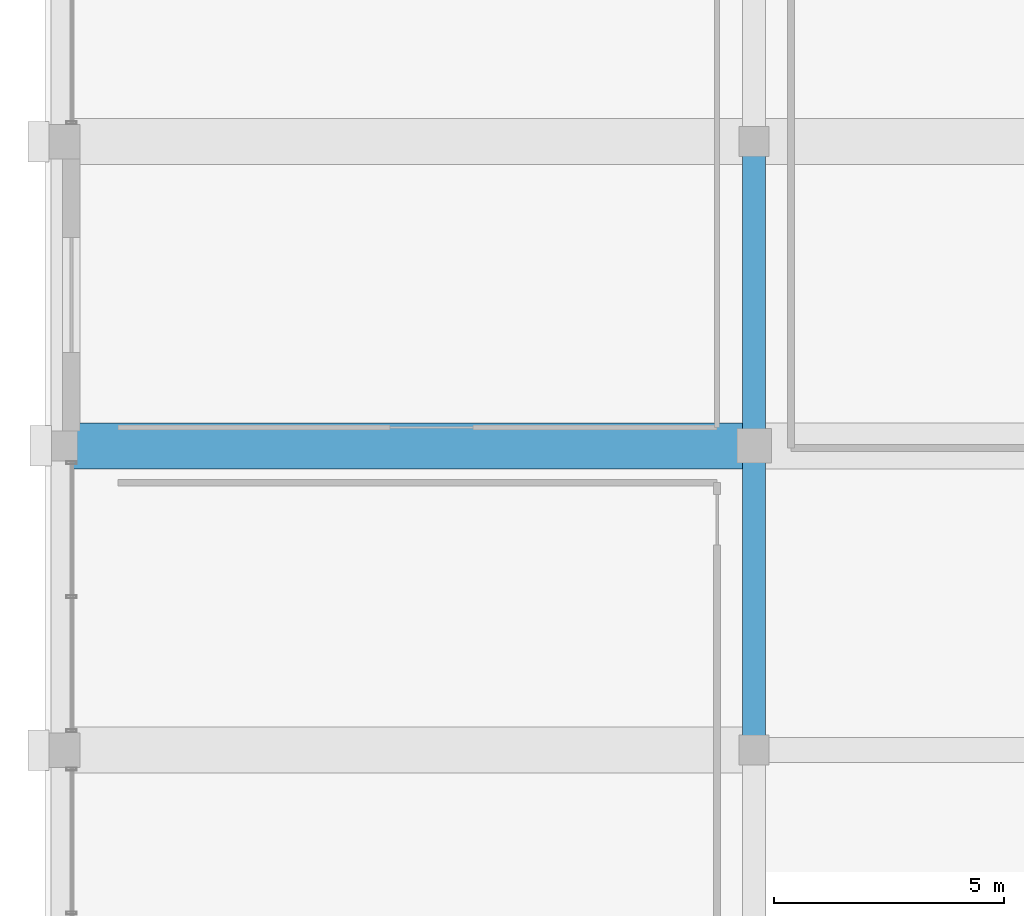
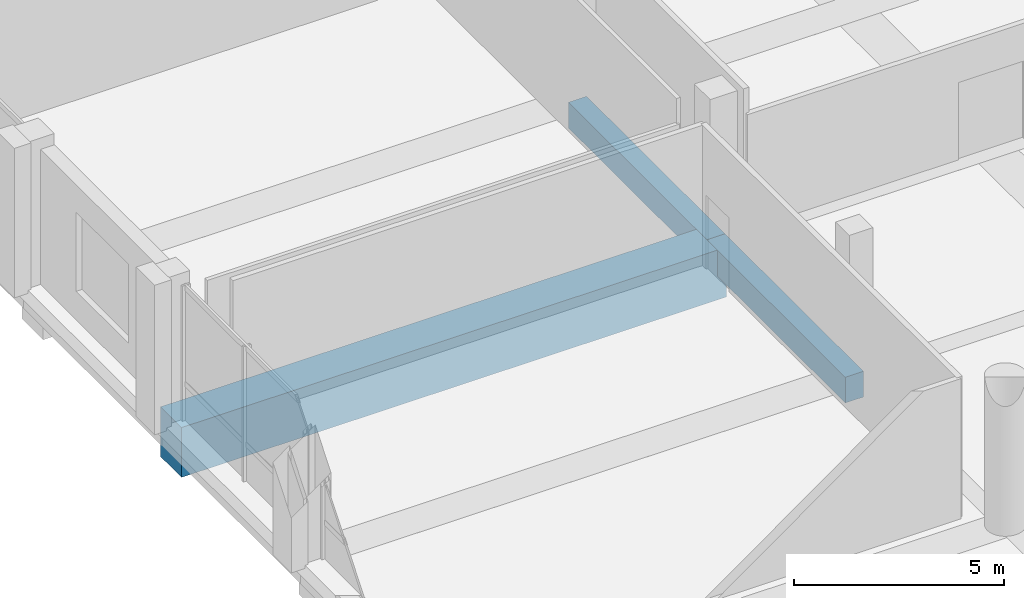
# One storey, part 16 of 64: 3 beams.
"""IFC4 building model written with IfcOpenShell, lengths in metres."""

import ifcopenshell
import ifcopenshell.guid

model = None  # the IFC model being written
_history = None  # IfcOwnerHistory: only IFC2X3 demands one
_inside = {}  # id of a spatial element -> (the spatial element, [elements in it])
_under = {}  # id of a project, library or spatial element -> (it, [spatial elements below it])
_declared = {}  # id of a project -> (the project, [libraries it declares])
_typed = {}  # id of a type object -> (the type object, [elements of that type])
_made_of = {}  # id of a material, layer set ... -> (it, [elements and type objects made of it])


def new_model(schema):
    """Start an empty IFC model of exactly this schema.

    Asked for "IFC4X3", IfcOpenShell would pick the latest addendum, in which some entities
    have other attributes; the version numbers below select the first issue.
    IFC2X3 requires an IfcOwnerHistory on every rooted entity: one is made here for all.
    """
    global model, _history
    if schema == "IFC4X3":
        model = ifcopenshell.file(schema_version=(4, 3, 0, 0))
    else:
        model = ifcopenshell.file(schema=schema)
    _inside.clear()
    _under.clear()
    _declared.clear()
    _typed.clear()
    _made_of.clear()
    _history = None
    if model.schema == "IFC2X3":
        org = make("IfcOrganization", Name="unknown")
        user = make(
            "IfcPersonAndOrganization",
            ThePerson=make("IfcPerson", FamilyName="unknown"),
            TheOrganization=org,
        )
        app = make(
            "IfcApplication",
            ApplicationDeveloper=org,
            Version="unknown",
            ApplicationFullName="unknown",
            ApplicationIdentifier="unknown",
        )
        _history = make(
            "IfcOwnerHistory",
            OwningUser=user,
            OwningApplication=app,
            ChangeAction="ADDED",
            CreationDate=0,
        )
    return model


def make(cls, **values):
    """One entity of the class cls with the attributes given. An attribute that is None is left unset."""
    return model.create_entity(
        cls, **{name: value for name, value in values.items() if value is not None}
    )


def rooted(cls, **values):
    """An entity with a GlobalId (a new one), such as an element, a storey or a relation."""
    return make(cls, GlobalId=ifcopenshell.guid.new(), OwnerHistory=_history, **values)


def si_unit(unit_type, name, prefix=None):
    """IfcSIUnit, for example si_unit("LENGTHUNIT", "METRE", prefix="MILLI")."""
    return make("IfcSIUnit", UnitType=unit_type, Prefix=prefix, Name=name)


def assignment(units):
    """IfcUnitAssignment: the units of a project."""
    return None if units is None else make("IfcUnitAssignment", Units=units)


def point(xyz):
    """IfcCartesianPoint."""
    return None if xyz is None else make("IfcCartesianPoint", Coordinates=xyz)


def direction(xyz):
    """IfcDirection."""
    return None if xyz is None else make("IfcDirection", DirectionRatios=xyz)


def frame(location, z_axis=None, x_axis=None):
    """IfcAxis2Placement3D, a coordinate frame: its origin and axes. An axis left out is left unset."""
    return make(
        "IfcAxis2Placement3D",
        Location=point(location),
        Axis=direction(z_axis),
        RefDirection=direction(x_axis),
    )


def frame_2d(location, x_axis=None):
    """IfcAxis2Placement2D, a coordinate frame in the plane: its origin and x axis."""
    return make(
        "IfcAxis2Placement2D", Location=point(location), RefDirection=direction(x_axis)
    )


def origin():
    """The frame at (0, 0, 0) with its axes left unset."""
    return frame((0.0, 0.0, 0.0))


def origin_2d():
    """The frame at (0, 0) in the plane with its x axis left unset."""
    return frame_2d((0.0, 0.0))


def place(relative_to, where):
    """IfcLocalPlacement: puts the frame where relative to a parent placement (None: the world)."""
    return make(
        "IfcLocalPlacement", PlacementRelTo=relative_to, RelativePlacement=where
    )


def context(
    kind, dimensions, precision=None, world=None, true_north=None, identifier=None
):
    """IfcGeometricRepresentationContext, for example the 3D "Model" context."""
    return make(
        "IfcGeometricRepresentationContext",
        ContextIdentifier=identifier,
        ContextType=kind,
        CoordinateSpaceDimension=dimensions,
        Precision=precision,
        WorldCoordinateSystem=world,
        TrueNorth=true_north,
    )


def subcontext(parent, identifier, kind, view, scale=None):
    """IfcGeometricRepresentationSubContext, for example "Body" below "Model"."""
    return make(
        "IfcGeometricRepresentationSubContext",
        ContextIdentifier=identifier,
        ContextType=kind,
        ParentContext=parent,
        TargetScale=scale,
        TargetView=view,
    )


def project(units=None, contexts=None):
    """IfcProject with its units and contexts."""
    return rooted(
        "IfcProject",
        Name="project",
        RepresentationContexts=contexts,
        UnitsInContext=assignment(units),
    )


def spatial(cls, under=None, at=None, **own):
    """A site, building, storey or space (cls), placed at a placement, below another one or the project."""
    s = rooted(cls, ObjectPlacement=at, **own)
    if under is not None:
        _under.setdefault(under.id(), (under, []))[1].append(s)
    return s


def profile(cls, at=None, kind="AREA", **sizes):
    """A parametric profile (cls). Its sizes go by their IFC names, for example OverallWidth=200.0."""
    return make(cls, ProfileType=kind, Position=at, **sizes)


def rectangle(**sizes):
    """IfcRectangleProfileDef."""
    return profile("IfcRectangleProfileDef", **sizes)


def extrude(swept, where, along, depth):
    """IfcExtrudedAreaSolid: the profile swept, set in the frame where, extruded along a direction by depth."""
    return make(
        "IfcExtrudedAreaSolid",
        SweptArea=swept,
        Position=where,
        ExtrudedDirection=direction(along),
        Depth=depth,
    )


def shape(context_of_items, identifier, shape_type, items):
    """IfcShapeRepresentation: the items that make up one representation, for example the "Body"."""
    return make(
        "IfcShapeRepresentation",
        ContextOfItems=context_of_items,
        RepresentationIdentifier=identifier,
        RepresentationType=shape_type,
        Items=items,
    )


def material(Name=None, Category=None):
    """IfcMaterial."""
    return make("IfcMaterial", Name=Name, Category=Category)


def material_profile(
    of_material, cross_section, Name=None, Category=None, Priority=None
):
    """IfcMaterialProfile: a cross section and its material."""
    return make(
        "IfcMaterialProfile",
        Name=Name,
        Material=of_material,
        Profile=cross_section,
        Priority=Priority,
        Category=Category,
    )


def profile_set(profiles, Name=None, composite=None):
    """IfcMaterialProfileSet."""
    return make(
        "IfcMaterialProfileSet",
        Name=Name,
        MaterialProfiles=profiles,
        CompositeProfile=composite,
    )


def made_of(thing, what):
    """Note that an element or type object is made of a material, layer set ...; save() writes the relation."""
    if what is not None:
        _made_of.setdefault(what.id(), (what, []))[1].append(thing)
    return thing


def type_object(cls, material=None, **own):
    """A type object (cls), such as IfcWallType, which elements share."""
    return made_of(rooted(cls, **own), material)


def element(
    cls,
    number,
    at=None,
    inside=None,
    cuts=None,
    type_object=None,
    material=None,
    context=None,
    identifier="Body",
    shape_type=None,
    held_by="IfcProductDefinitionShape",
    body=None,
    shapes=None,
    **own,
):
    """One element of the class cls, such as IfcWall. Its Tag is "e" and its number.

    at: its placement. inside: the storey or other place that contains it. cuts: it is an
    opening in that element (IfcRelVoidsElement). A single representation is given by context,
    identifier, shape_type and body (its items); several are given by shapes. held_by: the class
    of the entity that holds the representations. save() writes the other relations.
    """
    e = rooted(cls, Tag="e%d" % number, ObjectPlacement=at, **own)
    if body is not None:
        shapes = [shape(context, identifier, shape_type, body)]
    if shapes is not None:
        e.Representation = make(held_by, Representations=shapes)
    if inside is not None:
        _inside.setdefault(inside.id(), (inside, []))[1].append(e)
    if cuts is not None:
        rooted(
            "IfcRelVoidsElement", RelatingBuildingElement=cuts, RelatedOpeningElement=e
        )
    if type_object is not None:
        _typed.setdefault(type_object.id(), (type_object, []))[1].append(e)
    return made_of(e, material)


def aggregate(whole, parts):
    """IfcRelAggregates: a whole, such as a stair, and the parts it consists of."""
    return rooted("IfcRelAggregates", RelatingObject=whole, RelatedObjects=parts)


def save(model, path):
    """Write the relations noted so far, then the file.

    IfcRelAggregates (storeys below a building ...), IfcRelContainedInSpatialStructure (elements
    in a storey), IfcRelDefinesByType, IfcRelAssociatesMaterial and IfcRelDeclares: one each for
    every whole, place, type object, material and project.
    """
    for whole, parts in _under.values():
        aggregate(whole, parts)
    for where, things in _inside.values():
        rooted(
            "IfcRelContainedInSpatialStructure",
            RelatedElements=things,
            RelatingStructure=where,
        )
    for kind, things in _typed.values():
        rooted("IfcRelDefinesByType", RelatedObjects=things, RelatingType=kind)
    for what, things in _made_of.values():
        rooted("IfcRelAssociatesMaterial", RelatedObjects=things, RelatingMaterial=what)
    for by, libraries in _declared.values():
        rooted("IfcRelDeclares", RelatingContext=by, RelatedDefinitions=libraries)
    model.write(path)


model = new_model("IFC4")

# Units and contexts
model_context = context("Model", 3, precision=1e-05, world=origin(), true_north=direction((0.0, 1.0)))
body_context = subcontext(model_context, "Body", "Model", "MODEL_VIEW")
ifc_project = project(units=[si_unit("LENGTHUNIT", "METRE"), si_unit("AREAUNIT", "SQUARE_METRE"), si_unit("VOLUMEUNIT", "CUBIC_METRE"), si_unit("PLANEANGLEUNIT", "RADIAN"), si_unit("MASSUNIT", "GRAM", prefix="KILO")], contexts=[model_context])

# Site, building, storey
site_placement = place(None, origin())
site = spatial("IfcSite", under=ifc_project, at=site_placement, CompositionType="ELEMENT")
building_placement = place(site_placement, origin())
building = spatial("IfcBuilding", under=site, at=building_placement, Name="Akrevak Sports Hall", CompositionType="ELEMENT")
storey_placement = place(building_placement, frame((0.0, 0.0, 4.60009765625)))
storey = spatial("IfcBuildingStorey", under=building, at=storey_placement, Name="L01", CompositionType="ELEMENT", Elevation=4.60009765625)

# Beams
ifc_material_1 = material(Name="Concrete C50/60", Category="concrete")
ifc_material_profile_1 = material_profile(ifc_material_1, rectangle(XDim=1.0, YDim=1.449951171875, at=origin_2d()), Name="BM 1000x1450", Category="concrete")
ifc_profile_set_1 = profile_set([ifc_material_profile_1], Name="Concrete C50/60")
beam_type_1 = type_object("IfcBeamType", Name="STR-BM-LG1000x1450", PredefinedType="BEAM", material=ifc_profile_set_1)
beam_1_placement = place(storey_placement, frame((0.0, 35.39990234375, -0.72509765625), z_axis=(1.0, 0.0, 0.0), x_axis=(0.0, 1.0, 0.0)))
element("IfcBeam", 1, at=beam_1_placement, inside=storey, type_object=beam_type_1, Name="Girder F/1-3 (L01)", PredefinedType="BEAM", context=body_context, shape_type="SweptSolid", body=[
    extrude(rectangle(XDim=1.0, YDim=1.449951171875, at=origin_2d()), origin(), (0.0, 0.0, 1.0), 15.0),
])
ifc_material_2 = material(Name="Concrete C40/50", Category="concrete")
ifc_material_profile_2 = material_profile(ifc_material_2, rectangle(XDim=0.5, YDim=0.75, at=origin_2d()), Name="BM 500x750", Category="concrete")
ifc_profile_set_2 = profile_set([ifc_material_profile_2], Name="Concrete C40/50")
beam_type_2 = type_object("IfcBeamType", Name="STR-BM-RC500x750", PredefinedType="BEAM", material=ifc_profile_set_2)
beam_2_placement = place(storey_placement, frame((15.0, 28.800048828125, -0.375), z_axis=(0.0, 1.0, 0.0), x_axis=(-1.0, 0.0, 0.0)))
element("IfcBeam", 2, at=beam_2_placement, inside=storey, type_object=beam_type_2, Name="Girder 3/E-F (L01)", PredefinedType="BEAM", context=body_context, shape_type="SweptSolid", body=[
    extrude(rectangle(XDim=0.5, YDim=0.75, at=origin_2d()), origin(), (0.0, 0.0, 1.0), 6.599853515625),
])
beam_3_placement = place(storey_placement, frame((15.0, 35.39990234375, -0.375), z_axis=(0.0, 1.0, 0.0), x_axis=(-1.0, 0.0, 0.0)))
element("IfcBeam", 3, at=beam_3_placement, inside=storey, type_object=beam_type_2, Name="Girder 3/F-G (L01)", PredefinedType="BEAM", context=body_context, shape_type="SweptSolid", body=[
    extrude(rectangle(XDim=0.5, YDim=0.75, at=origin_2d()), origin(), (0.0, 0.0, 1.0), 6.60009765625),
])

save(model, "model.ifc")
